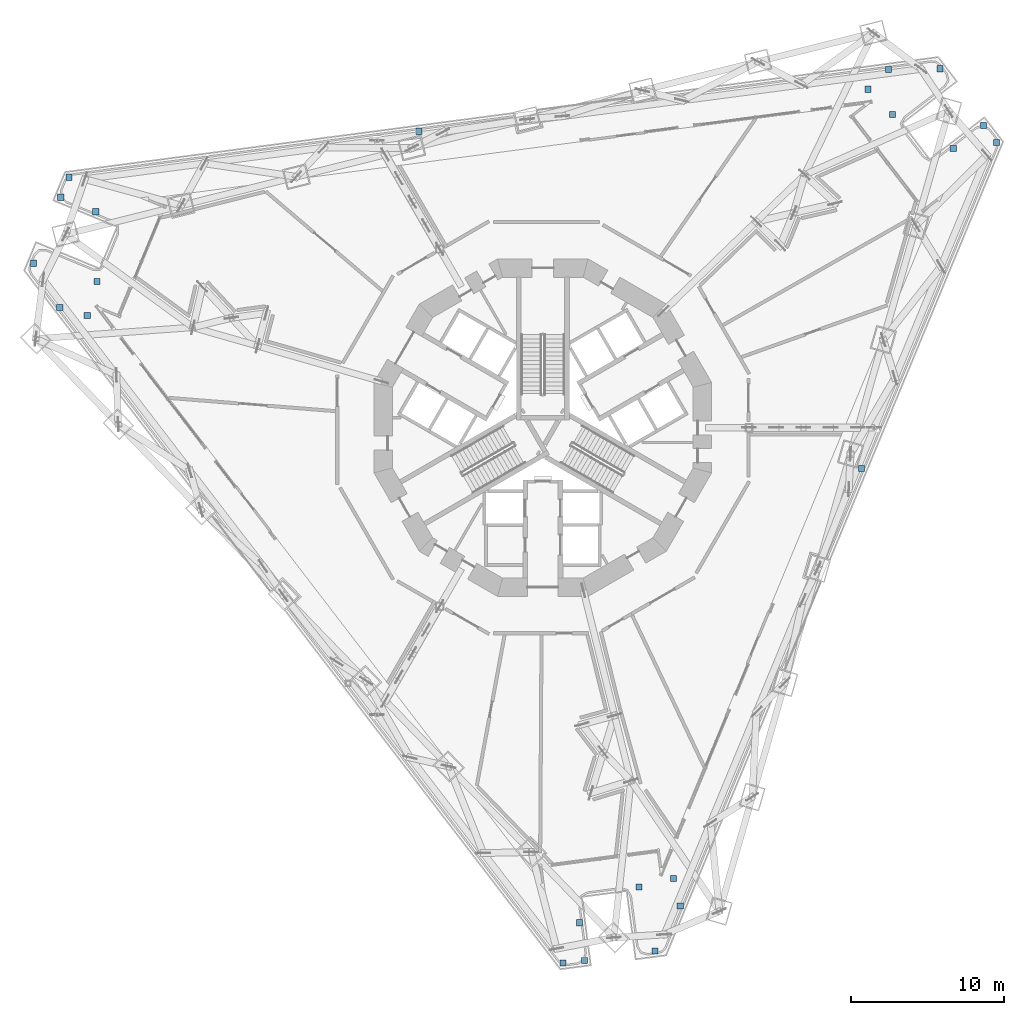
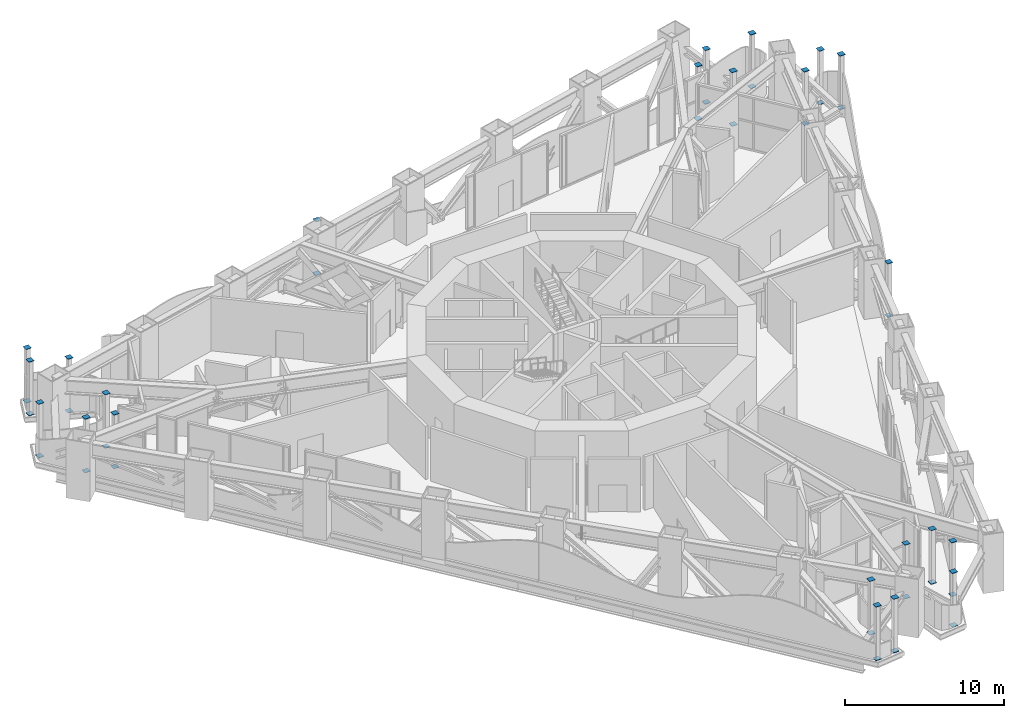
# One storey, part 24 of 31: 46 discrete accessories.
"""IFC4 building model written with IfcOpenShell, lengths in metres."""

from ifc_helpers import new_model, si_unit, direction, frame, origin, origin_2d, place, context, subcontext, project, spatial, rectangle, extrude, material, element, save


model = new_model("IFC4")

# Units and contexts
model_context = context("Model", 3, precision=1e-05, world=origin(), true_north=direction((0.0, 1.0)))
body_context = subcontext(model_context, "Body", "Model", "MODEL_VIEW")
ifc_project = project(units=[si_unit("LENGTHUNIT", "METRE"), si_unit("AREAUNIT", "SQUARE_METRE"), si_unit("VOLUMEUNIT", "CUBIC_METRE"), si_unit("PLANEANGLEUNIT", "RADIAN"), si_unit("MASSUNIT", "GRAM", prefix="KILO")], contexts=[model_context])

# Site, building, storey
site_placement = place(None, origin())
site = spatial("IfcSite", under=ifc_project, at=site_placement, CompositionType="ELEMENT")
building_placement = place(site_placement, origin())
building = spatial("IfcBuilding", under=site, at=building_placement, Name="Trine Commons Tower", CompositionType="ELEMENT")
storey_placement = place(building_placement, frame((0.0, 0.0, 82.800048828125)))
storey = spatial("IfcBuildingStorey", under=building, at=storey_placement, Name="L20", CompositionType="ELEMENT", Elevation=82.800048828125)

# Discrete accessories
ifc_material = material(Name="Structural steel ASTM A572 Gr50", Category="steel")
for number, where, z_axis, x_axis, name in (
    (1, (46.771240234375, 73.224609375, 0.0), (0.0, 0.0, 1.0), (1.0, 0.0, 0.0), "Post base plate SP2-11"),
    (2, (46.771240234375, 73.224609375, 4.1201171875), (0.0, 0.0, 1.0), (1.0, 0.0, 0.0), "Post cap plate SP2-11"),
    (3, (50.280029296875, 69.82568359375, 0.0), (0.0, 0.0, 1.0), (1.0, 0.0, 0.0), "Post base plate SP2-12"),
    (4, (50.280029296875, 69.82568359375, 4.1201171875), (0.0, 0.0, 1.0), (1.0, 0.0, 0.0), "Post cap plate SP2-12"),
    (5, (50.9140625, 72.03662109375, 0.0), (0.0, 0.0, 1.0), (1.0, 0.0, 0.0), "Post base plate SP2-13"),
    (6, (50.9140625, 72.03662109375, 4.1201171875), (0.0, 0.0, 1.0), (1.0, 0.0, 0.0), "Post cap plate SP2-13"),
    (7, (48.489501953125, 70.339111328125, 0.0), (0.0, 0.0, 1.0), (1.0, 0.0, 0.0), "Post base plate SP2-14"),
    (8, (48.489501953125, 70.339111328125, 4.1201171875), (0.0, 0.0, 1.0), (1.0, 0.0, 0.0), "Post cap plate SP2-14"),
    (9, (48.5537109375, 77.52783203125, 0.0), (0.0, 0.0, 1.0), (1.0, 0.0, 0.0), "Post base plate SP2-21"),
    (10, (48.5537109375, 77.52783203125, 4.1201171875), (0.0, 0.0, 1.0), (1.0, 0.0, 0.0), "Post cap plate SP2-21"),
    (11, (49.093994140625, 78.83251953125, 0.0), (0.0, 0.0, 1.0), (1.0, 0.0, 0.0), "Post base plate SP2-22"),
    (12, (49.093994140625, 78.83251953125, 4.1201171875), (0.0, 0.0, 1.0), (1.0, 0.0, 0.0), "Post cap plate SP2-22"),
    (13, (71.910888671875, 81.836181640625, 0.0), (0.0, 0.0, 1.0), (1.0, 0.0, 0.0), "Post base plate SP2-23"),
    (14, (71.910888671875, 81.836181640625, 4.1201171875), (0.0, 0.0, 1.0), (1.0, 0.0, 0.0), "Post cap plate SP2-23"),
    (15, (50.837158203125, 76.58203125, 0.0), (0.0, 0.0, 1.0), (1.0, 0.0, 0.0), "Post base plate SP2-24"),
    (16, (50.837158203125, 76.58203125, 4.1201171875), (0.0, 0.0, 1.0), (1.0, 0.0, 0.0), "Post cap plate SP2-24"),
    (17, (82.70849609375, 27.752685546875, 0.0), (0.0, 0.0, 1.0), (1.0, 0.0, 0.0), "Post base plate SP2-31"),
    (18, (82.70849609375, 27.752685546875, 4.1201171875), (0.0, 0.0, 1.0), (1.0, 0.0, 0.0), "Post cap plate SP2-31"),
    (19, (81.30859375, 27.568359375, 0.0), (0.0, 0.0, 1.0), (1.0, 0.0, 0.0), "Post base plate SP2-32"),
    (20, (81.30859375, 27.568359375, 4.1201171875), (0.0, 0.0, 1.0), (1.0, 0.0, 0.0), "Post cap plate SP2-32"),
    (21, (82.385986328125, 30.203125, 0.0), (0.0, 0.0, 1.0), (1.0, 0.0, 0.0), "Post base plate SP2-34"),
    (22, (82.385986328125, 30.203125, 4.1201171875), (0.0, 0.0, 1.0), (1.0, 0.0, 0.0), "Post cap plate SP2-34"),
    (23, (87.32666015625, 28.360595703125, 0.0), (0.0, 0.0, 1.0), (1.0, 0.0, 0.0), "Post base plate SP2-41"),
    (24, (87.32666015625, 28.360595703125, 4.1201171875), (0.0, 0.0, 1.0), (1.0, 0.0, 0.0), "Post cap plate SP2-41"),
    (25, (88.515625, 33.09912109375, 0.0), (0.0, 0.0, 1.0), (1.0, 0.0, 0.0), "Post base plate SP2-42"),
    (26, (88.515625, 33.09912109375, 4.1201171875), (0.0, 0.0, 1.0), (1.0, 0.0, 0.0), "Post cap plate SP2-42"),
    (27, (86.283935546875, 32.54248046875, 0.0), (0.0, 0.0, 1.0), (1.0, 0.0, 0.0), "Post base plate SP2-43"),
    (28, (86.283935546875, 32.54248046875, 4.1201171875), (0.0, 0.0, 1.0), (1.0, 0.0, 0.0), "Post cap plate SP2-43"),
    (29, (88.96630859375, 31.29150390625, 0.0), (0.0, 0.0, 1.0), (1.0, 0.0, 0.0), "Post base plate SP2-44"),
    (30, (88.96630859375, 31.29150390625, 4.1201171875), (0.0, 0.0, 1.0), (1.0, 0.0, 0.0), "Post cap plate SP2-44"),
    (31, (105.902099609375, 85.914794921875, 0.0), (0.0, 0.0, 1.0), (1.0, 0.0, 0.0), "Post base plate SP2-51"),
    (32, (105.902099609375, 85.914794921875, 4.1201171875), (0.0, 0.0, 1.0), (1.0, 0.0, 0.0), "Post cap plate SP2-51"),
    (33, (101.2041015625, 84.5751953125, 0.0), (0.0, 0.0, 1.0), (1.0, 0.0, 0.0), "Post base plate SP2-52"),
    (34, (101.2041015625, 84.5751953125, 4.1201171875), (0.0, 0.0, 1.0), (1.0, 0.0, 0.0), "Post cap plate SP2-52"),
    (35, (102.802001953125, 82.9208984375, 0.0), (0.0, 0.0, 1.0), (1.0, 0.0, 0.0), "Post base plate SP2-53"),
    (36, (102.802001953125, 82.9208984375, 4.1201171875), (0.0, 0.0, 1.0), (1.0, 0.0, 0.0), "Post cap plate SP2-53"),
    (37, (102.544189453125, 85.869384765625, 0.0), (0.0, 0.0, 1.0), (1.0, 0.0, 0.0), "Post base plate SP2-54"),
    (38, (102.544189453125, 85.869384765625, 4.1201171875), (0.0, 0.0, 1.0), (1.0, 0.0, 0.0), "Post cap plate SP2-54"),
    (39, (108.73779296875, 82.21923828125, 0.0), (0.0, 0.0, 1.0), (1.0, 0.0, 0.0), "Post base plate SP2-61"),
    (40, (108.73779296875, 82.21923828125, 4.1201171875), (0.0, 0.0, 1.0), (1.0, 0.0, 0.0), "Post cap plate SP2-61"),
    (41, (109.597412109375, 81.09912109375, 0.0), (0.0, 0.0, 1.0), (1.0, 0.0, 0.0), "Post base plate SP2-62"),
    (42, (109.597412109375, 81.09912109375, 4.1201171875), (0.0, 0.0, 1.0), (1.0, 0.0, 0.0), "Post cap plate SP2-62"),
    (43, (100.790283203125, 59.83740234375, 0.0), (0.0, 0.0, 1.0), (1.0, 0.0, 0.0), "Post base plate SP2-63"),
    (44, (100.790283203125, 59.83740234375, 4.1201171875), (0.0, 0.0, 1.0), (1.0, 0.0, 0.0), "Post cap plate SP2-63"),
    (45, (106.77685546875, 80.714599609375, 0.0), (0.0, 0.0, 1.0), (1.0, 0.0, 0.0), "Post base plate SP2-64"),
    (46, (106.77685546875, 80.714599609375, 4.1201171875), (0.0, 0.0, 1.0), (1.0, 0.0, 0.0), "Post cap plate SP2-64"),
):
    element("IfcDiscreteAccessory", number, at=place(storey_placement, frame(where, z_axis=z_axis, x_axis=x_axis)), inside=storey, material=ifc_material, Name=name, PredefinedType="BRACKET", context=body_context, shape_type="SweptSolid", body=[
        extrude(rectangle(XDim=0.39990234375, YDim=0.39990234375, at=origin_2d()), origin(), (0.0, 0.0, 1.0), 0.030029296875),
    ])

save(model, "model.ifc")
